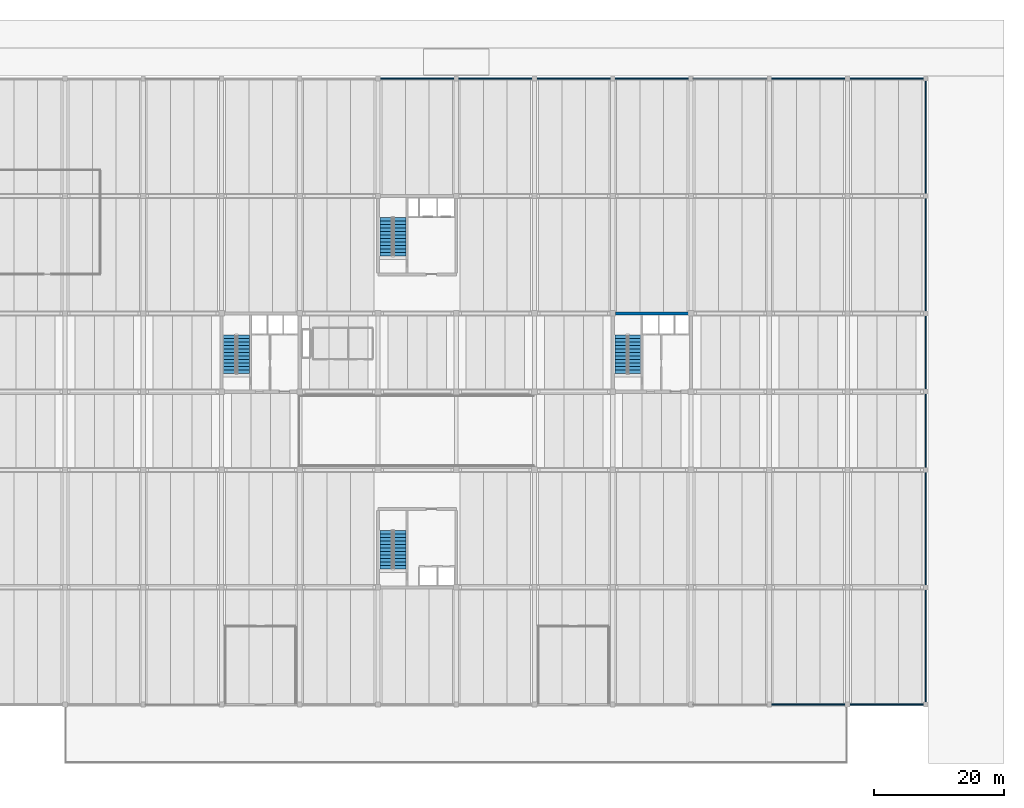
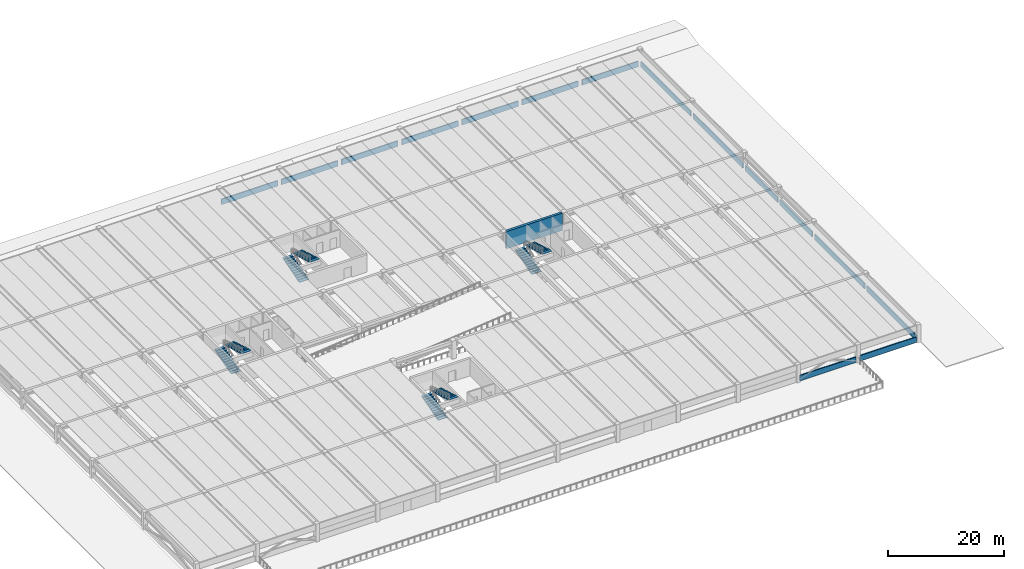
# One storey, part 10 of 16: 16 walls, 8 stair flights, 4 elements without a shape of their own.
"""IFC4 building model written with IfcOpenShell, lengths in metres."""

from ifc_helpers import new_model, si_unit, direction, frame, frame_2d, origin, place, context, subcontext, project, spatial, polyline, rectangle, outline, extrude, material, layer, layer_set, type_object, element, aggregate, save


model = new_model("IFC4")

# Units and contexts
model_context = context("Model", 3, precision=1e-05, world=origin(), true_north=direction((0.0, 1.0)))
body_context = subcontext(model_context, "Body", "Model", "MODEL_VIEW")
ifc_project = project(units=[si_unit("LENGTHUNIT", "METRE"), si_unit("AREAUNIT", "SQUARE_METRE"), si_unit("VOLUMEUNIT", "CUBIC_METRE"), si_unit("PLANEANGLEUNIT", "RADIAN"), si_unit("MASSUNIT", "GRAM", prefix="KILO")], contexts=[model_context])

# Site, building, storey
site_placement = place(None, origin())
site = spatial("IfcSite", under=ifc_project, at=site_placement, CompositionType="ELEMENT")
building_placement = place(site_placement, origin())
building = spatial("IfcBuilding", under=site, at=building_placement, Name="Girod Span Mobility Hub", CompositionType="ELEMENT")
storey_placement = place(building_placement, frame((0.0, 0.0, 21.0)))
storey = spatial("IfcBuildingStorey", under=building, at=storey_placement, Name="L05", CompositionType="ELEMENT", Elevation=21.0)

# Walls
ifc_material_1 = material(Name="Concrete C40/50", Category="concrete")
ifc_layer_1 = layer(ifc_material_1, 0.5)
ifc_layer_set_1 = layer_set([ifc_layer_1], Name="Concrete C40/50")
wall_type_1 = type_object("IfcWallType", Name="W-CW-500", PredefinedType="SHEAR", material=ifc_layer_set_1)
wall_placement = place(storey_placement, frame((108.422119140625, 69.0, 0.0), z_axis=(0.0, 0.0, 1.0), x_axis=(1.0, 0.0, 0.0)))
element("IfcWall", 1, at=wall_placement, inside=storey, type_object=wall_type_1, Name="Core C2 Shear Wall N L05", PredefinedType="SHEAR", context=body_context, shape_type="SweptSolid", body=[
    extrude(rectangle(XDim=11.15576171875, YDim=0.5, at=frame_2d((5.577880859375, 0.0))), origin(), (0.0, 0.0, 1.0), 3.637939453125),
])
ifc_material_2 = material(Name="Precast Architectural Concrete C40/50", Category="concrete")
ifc_layer_2 = layer(ifc_material_2, 0.215087890625)
ifc_layer_set_2 = layer_set([ifc_layer_2], Name="Precast Architectural Concrete C40/50")
wall_type_2 = type_object("IfcWallType", Name="W-PAR-215", PredefinedType="PARAPET", material=ifc_layer_set_2)
for number, where, z_axis, x_axis, name in (
    (2, (132.373046875, 9.0, 0.0), (0.0, 0.0, 1.0), (1.0, 0.0, 0.0), "Precast Parking Barrier Parapet S-12 L05"),
    (3, (144.373046875, 9.0, 0.0), (0.0, 0.0, 1.0), (1.0, 0.0, 0.0), "Precast Parking Barrier Parapet S-13 L05"),
    (4, (72.373046875, 105.0, 0.0), (0.0, 0.0, 1.0), (1.0, 0.0, 0.0), "Precast Parking Barrier Parapet N-7 L05"),
    (5, (84.373046875, 105.0, 0.0), (0.0, 0.0, 1.0), (1.0, 0.0, 0.0), "Precast Parking Barrier Parapet N-8 L05"),
    (6, (96.373046875, 105.0, 0.0), (0.0, 0.0, 1.0), (1.0, 0.0, 0.0), "Precast Parking Barrier Parapet N-9 L05"),
    (7, (108.373046875, 105.0, 0.0), (0.0, 0.0, 1.0), (1.0, 0.0, 0.0), "Precast Parking Barrier Parapet N-10 L05"),
    (8, (120.373046875, 105.0, 0.0), (0.0, 0.0, 1.0), (1.0, 0.0, 0.0), "Precast Parking Barrier Parapet N-11 L05"),
    (9, (132.373046875, 105.0, 0.0), (0.0, 0.0, 1.0), (1.0, 0.0, 0.0), "Precast Parking Barrier Parapet N-12 L05"),
    (10, (144.373046875, 105.0, 0.0), (0.0, 0.0, 1.0), (1.0, 0.0, 0.0), "Precast Parking Barrier Parapet N-13 L05"),
):
    element("IfcWall", number, at=place(storey_placement, frame(where, z_axis=z_axis, x_axis=x_axis)), inside=storey, type_object=wall_type_2, Name=name, PredefinedType="PARAPET", context=body_context, shape_type="SweptSolid", body=[
        extrude(rectangle(XDim=11.25390625, YDim=0.215087890625, at=frame_2d((5.626953125, 0.0))), origin(), (0.0, 0.0, 1.0), 1.14990234375),
    ])
for number, where, z_axis, x_axis, name in (
    (11, (156.0, 9.373046875, 0.0), (0.0, 0.0, 1.0), (0.0, 1.0, 0.0), "Precast Side Barrier Parapet E-B-1 L05"),
    (12, (156.0, 27.373046875, 0.0), (0.0, 0.0, 1.0), (0.0, 1.0, 0.0), "Precast Side Barrier Parapet E-C-1 L05"),
):
    element("IfcWall", number, at=place(storey_placement, frame(where, z_axis=z_axis, x_axis=x_axis)), inside=storey, type_object=wall_type_2, Name=name, PredefinedType="PARAPET", context=body_context, shape_type="SweptSolid", body=[
        extrude(rectangle(XDim=17.25390625, YDim=0.215087890625, at=frame_2d((8.626953125, 0.0))), origin(), (0.0, 0.0, 1.0), 1.14990234375),
    ])
for number, where, z_axis, x_axis, name in (
    (13, (156.0, 45.373046875, 0.0), (0.0, 0.0, 1.0), (0.0, 1.0, 0.0), "Precast Side Barrier Parapet E-D-1 L05"),
    (14, (156.0, 57.373046875, 0.0), (0.0, 0.0, 1.0), (0.0, 1.0, 0.0), "Precast Side Barrier Parapet E-E-1 L05"),
):
    element("IfcWall", number, at=place(storey_placement, frame(where, z_axis=z_axis, x_axis=x_axis)), inside=storey, type_object=wall_type_2, Name=name, PredefinedType="PARAPET", context=body_context, shape_type="SweptSolid", body=[
        extrude(rectangle(XDim=11.25390625, YDim=0.215087890625, at=frame_2d((5.626953125, 0.0))), origin(), (0.0, 0.0, 1.0), 1.14990234375),
    ])
for number, where, z_axis, x_axis, name in (
    (15, (156.0, 69.373046875, 0.0), (0.0, 0.0, 1.0), (0.0, 1.0, 0.0), "Precast Side Barrier Parapet E-F-1 L05"),
    (16, (156.0, 87.373046875, 0.0), (0.0, 0.0, 1.0), (0.0, 1.0, 0.0), "Precast Side Barrier Parapet E-G-1 L05"),
):
    element("IfcWall", number, at=place(storey_placement, frame(where, z_axis=z_axis, x_axis=x_axis)), inside=storey, type_object=wall_type_2, Name=name, PredefinedType="PARAPET", context=body_context, shape_type="SweptSolid", body=[
        extrude(rectangle(XDim=17.25390625, YDim=0.215087890625, at=frame_2d((8.626953125, 0.0))), origin(), (0.0, 0.0, 1.0), 1.14990234375),
    ])

# Stair, stair flights
ifc_material_3 = material(Name="Concrete C40/50", Category="concrete")
stair_type = type_object("IfcStairType", Name="STR-3800-W1860", PredefinedType="HALF_TURN_STAIR", material=ifc_material_3)
stair_1_placement = place(storey_placement, origin())
stair_1 = element("IfcStair", 17, at=stair_1_placement, inside=storey, type_object=stair_type, Name="Exit Stair ST-1 L05", PredefinedType="HALF_TURN_STAIR")
ifc_material_4 = material(Name="Concrete C40/50", Category="concrete")
stair_flight_type = type_object("IfcStairFlightType", Name="STF-1900-W1860", PredefinedType="STRAIGHT", material=ifc_material_4)
stair_flight_1_placement = place(storey_placement, frame((49.25, 59.81005859375, 0.0), z_axis=(0.0, 0.0, 1.0), x_axis=(0.0, 1.0, 0.0)))
stair_flight_1 = element("IfcStairFlight", 18, at=stair_flight_1_placement, type_object=stair_flight_type, Name="Stair ST-1 Flight 1 L05", NumberOfRisers=12, NumberOfTreads=11, PredefinedType="STRAIGHT", RiserHeight=0.15833, TreadLength=0.53455, context=body_context, shape_type="SweptSolid", body=[
    extrude(outline(polyline([(0.0, 0.0), (0.0, 0.158447265625), (0.53466796875, 0.158447265625), (0.53466796875, 0.316650390625), (1.069091796875, 0.316650390625), (1.069091796875, 0.47509765625), (1.603759765625, 0.47509765625), (1.603759765625, 0.63330078125), (2.13818359375, 0.63330078125), (2.13818359375, 0.791748046875), (2.6728515625, 0.791748046875), (2.6728515625, 0.949951171875), (3.207275390625, 0.949951171875), (3.207275390625, 1.1083984375), (3.741943359375, 1.1083984375), (3.741943359375, 1.2666015625), (4.2763671875, 1.2666015625), (4.2763671875, 1.425048828125), (4.81103515625, 1.425048828125), (4.81103515625, 1.583251953125), (5.345458984375, 1.583251953125), (5.345458984375, 1.74169921875), (5.880126953125, 1.74169921875), (5.880126953125, 1.89990234375), (5.880126953125, 1.54345703125), (0.668701171875, 0.0), (0.0, 0.0)])), frame((0.0, 0.93017578125, 0.0), z_axis=(0.0, -1.0, 0.0), x_axis=(1.0, 0.0, 0.0)), (0.0, 0.0, 1.0), 1.860107421875),
])
stair_flight_2_placement = place(storey_placement, frame((51.35009765625, 65.68994140625, 1.89990234375), z_axis=(0.0, 0.0, 1.0), x_axis=(0.0, -1.0, 0.0)))
stair_flight_2 = element("IfcStairFlight", 19, at=stair_flight_2_placement, type_object=stair_flight_type, Name="Stair ST-1 Flight 2 L05", NumberOfRisers=12, NumberOfTreads=11, PredefinedType="STRAIGHT", RiserHeight=0.15833, TreadLength=0.53455, context=body_context, shape_type="SweptSolid", body=[
    extrude(outline(polyline([(0.0, 0.0), (0.0, 0.158447265625), (0.53466796875, 0.158447265625), (0.53466796875, 0.316650390625), (1.069091796875, 0.316650390625), (1.069091796875, 0.47509765625), (1.603759765625, 0.47509765625), (1.603759765625, 0.63330078125), (2.13818359375, 0.63330078125), (2.13818359375, 0.791748046875), (2.6728515625, 0.791748046875), (2.6728515625, 0.949951171875), (3.207275390625, 0.949951171875), (3.207275390625, 1.1083984375), (3.741943359375, 1.1083984375), (3.741943359375, 1.2666015625), (4.2763671875, 1.2666015625), (4.2763671875, 1.425048828125), (4.81103515625, 1.425048828125), (4.81103515625, 1.583251953125), (5.345458984375, 1.583251953125), (5.345458984375, 1.74169921875), (5.880126953125, 1.74169921875), (5.880126953125, 1.89990234375), (5.880126953125, 1.54345703125), (0.668701171875, 0.0), (0.0, 0.0)])), frame((0.0, 0.93017578125, 0.0), z_axis=(0.0, -1.0, 0.0), x_axis=(1.0, 0.0, 0.0)), (0.0, 0.0, 1.0), 1.860107421875),
])
aggregate(stair_1, [stair_flight_1, stair_flight_2])

stair_2_placement = place(storey_placement, origin())
stair_2 = element("IfcStair", 20, at=stair_2_placement, inside=storey, type_object=stair_type, Name="Exit Stair ST-2 L05", PredefinedType="HALF_TURN_STAIR")
stair_flight_3_placement = place(storey_placement, frame((109.25, 59.81005859375, 0.0), z_axis=(0.0, 0.0, 1.0), x_axis=(0.0, 1.0, 0.0)))
stair_flight_3 = element("IfcStairFlight", 21, at=stair_flight_3_placement, type_object=stair_flight_type, Name="Stair ST-2 Flight 1 L05", NumberOfRisers=12, NumberOfTreads=11, PredefinedType="STRAIGHT", RiserHeight=0.15833, TreadLength=0.53455, context=body_context, shape_type="SweptSolid", body=[
    extrude(outline(polyline([(0.0, 0.0), (0.0, 0.158447265625), (0.53466796875, 0.158447265625), (0.53466796875, 0.316650390625), (1.069091796875, 0.316650390625), (1.069091796875, 0.47509765625), (1.603759765625, 0.47509765625), (1.603759765625, 0.63330078125), (2.13818359375, 0.63330078125), (2.13818359375, 0.791748046875), (2.6728515625, 0.791748046875), (2.6728515625, 0.949951171875), (3.207275390625, 0.949951171875), (3.207275390625, 1.1083984375), (3.741943359375, 1.1083984375), (3.741943359375, 1.2666015625), (4.2763671875, 1.2666015625), (4.2763671875, 1.425048828125), (4.81103515625, 1.425048828125), (4.81103515625, 1.583251953125), (5.345458984375, 1.583251953125), (5.345458984375, 1.74169921875), (5.880126953125, 1.74169921875), (5.880126953125, 1.89990234375), (5.880126953125, 1.54345703125), (0.668701171875, 0.0), (0.0, 0.0)])), frame((0.0, 0.93017578125, 0.0), z_axis=(0.0, -1.0, 0.0), x_axis=(1.0, 0.0, 0.0)), (0.0, 0.0, 1.0), 1.860107421875),
])
stair_flight_4_placement = place(storey_placement, frame((111.35009765625, 65.68994140625, 1.89990234375), z_axis=(0.0, 0.0, 1.0), x_axis=(0.0, -1.0, 0.0)))
stair_flight_4 = element("IfcStairFlight", 22, at=stair_flight_4_placement, type_object=stair_flight_type, Name="Stair ST-2 Flight 2 L05", NumberOfRisers=12, NumberOfTreads=11, PredefinedType="STRAIGHT", RiserHeight=0.15833, TreadLength=0.53455, context=body_context, shape_type="SweptSolid", body=[
    extrude(outline(polyline([(0.0, 0.0), (0.0, 0.158447265625), (0.53466796875, 0.158447265625), (0.53466796875, 0.316650390625), (1.069091796875, 0.316650390625), (1.069091796875, 0.47509765625), (1.603759765625, 0.47509765625), (1.603759765625, 0.63330078125), (2.13818359375, 0.63330078125), (2.13818359375, 0.791748046875), (2.6728515625, 0.791748046875), (2.6728515625, 0.949951171875), (3.207275390625, 0.949951171875), (3.207275390625, 1.1083984375), (3.741943359375, 1.1083984375), (3.741943359375, 1.2666015625), (4.2763671875, 1.2666015625), (4.2763671875, 1.425048828125), (4.81103515625, 1.425048828125), (4.81103515625, 1.583251953125), (5.345458984375, 1.583251953125), (5.345458984375, 1.74169921875), (5.880126953125, 1.74169921875), (5.880126953125, 1.89990234375), (5.880126953125, 1.54345703125), (0.668701171875, 0.0), (0.0, 0.0)])), frame((0.0, 0.93017578125, 0.0), z_axis=(0.0, -1.0, 0.0), x_axis=(1.0, 0.0, 0.0)), (0.0, 0.0, 1.0), 1.860107421875),
])
aggregate(stair_2, [stair_flight_3, stair_flight_4])

stair_3_placement = place(storey_placement, origin())
stair_3 = element("IfcStair", 23, at=stair_3_placement, inside=storey, type_object=stair_type, Name="Exit Stair ST-3 L05", PredefinedType="HALF_TURN_STAIR")
stair_flight_5_placement = place(storey_placement, frame((73.25, 29.81005859375, 0.0), z_axis=(0.0, 0.0, 1.0), x_axis=(0.0, 1.0, 0.0)))
stair_flight_5 = element("IfcStairFlight", 24, at=stair_flight_5_placement, type_object=stair_flight_type, Name="Stair ST-3 Flight 1 L05", NumberOfRisers=12, NumberOfTreads=11, PredefinedType="STRAIGHT", RiserHeight=0.15833, TreadLength=0.53455, context=body_context, shape_type="SweptSolid", body=[
    extrude(outline(polyline([(0.0, 0.0), (0.0, 0.158447265625), (0.53466796875, 0.158447265625), (0.53466796875, 0.316650390625), (1.069091796875, 0.316650390625), (1.069091796875, 0.47509765625), (1.603759765625, 0.47509765625), (1.603759765625, 0.63330078125), (2.13818359375, 0.63330078125), (2.13818359375, 0.791748046875), (2.6728515625, 0.791748046875), (2.6728515625, 0.949951171875), (3.207275390625, 0.949951171875), (3.207275390625, 1.1083984375), (3.741943359375, 1.1083984375), (3.741943359375, 1.2666015625), (4.2763671875, 1.2666015625), (4.2763671875, 1.425048828125), (4.81103515625, 1.425048828125), (4.81103515625, 1.583251953125), (5.345458984375, 1.583251953125), (5.345458984375, 1.74169921875), (5.880126953125, 1.74169921875), (5.880126953125, 1.89990234375), (5.880126953125, 1.54345703125), (0.668701171875, 0.0), (0.0, 0.0)])), frame((0.0, 0.93017578125, 0.0), z_axis=(0.0, -1.0, 0.0), x_axis=(1.0, 0.0, 0.0)), (0.0, 0.0, 1.0), 1.860107421875),
])
stair_flight_6_placement = place(storey_placement, frame((75.35009765625, 35.68994140625, 1.89990234375), z_axis=(0.0, 0.0, 1.0), x_axis=(0.0, -1.0, 0.0)))
stair_flight_6 = element("IfcStairFlight", 25, at=stair_flight_6_placement, type_object=stair_flight_type, Name="Stair ST-3 Flight 2 L05", NumberOfRisers=12, NumberOfTreads=11, PredefinedType="STRAIGHT", RiserHeight=0.15833, TreadLength=0.53455, context=body_context, shape_type="SweptSolid", body=[
    extrude(outline(polyline([(0.0, 0.0), (0.0, 0.158447265625), (0.53466796875, 0.158447265625), (0.53466796875, 0.316650390625), (1.069091796875, 0.316650390625), (1.069091796875, 0.47509765625), (1.603759765625, 0.47509765625), (1.603759765625, 0.63330078125), (2.13818359375, 0.63330078125), (2.13818359375, 0.791748046875), (2.6728515625, 0.791748046875), (2.6728515625, 0.949951171875), (3.207275390625, 0.949951171875), (3.207275390625, 1.1083984375), (3.741943359375, 1.1083984375), (3.741943359375, 1.2666015625), (4.2763671875, 1.2666015625), (4.2763671875, 1.425048828125), (4.81103515625, 1.425048828125), (4.81103515625, 1.583251953125), (5.345458984375, 1.583251953125), (5.345458984375, 1.74169921875), (5.880126953125, 1.74169921875), (5.880126953125, 1.89990234375), (5.880126953125, 1.54345703125), (0.668701171875, 0.0), (0.0, 0.0)])), frame((0.0, 0.93017578125, 0.0), z_axis=(0.0, -1.0, 0.0), x_axis=(1.0, 0.0, 0.0)), (0.0, 0.0, 1.0), 1.860107421875),
])
aggregate(stair_3, [stair_flight_5, stair_flight_6])

stair_4_placement = place(storey_placement, origin())
stair_4 = element("IfcStair", 26, at=stair_4_placement, inside=storey, type_object=stair_type, Name="Exit Stair ST-4 L05", PredefinedType="HALF_TURN_STAIR")
stair_flight_7_placement = place(storey_placement, frame((73.25, 77.81005859375, 0.0), z_axis=(0.0, 0.0, 1.0), x_axis=(0.0, 1.0, 0.0)))
stair_flight_7 = element("IfcStairFlight", 27, at=stair_flight_7_placement, type_object=stair_flight_type, Name="Stair ST-4 Flight 1 L05", NumberOfRisers=12, NumberOfTreads=11, PredefinedType="STRAIGHT", RiserHeight=0.15833, TreadLength=0.53455, context=body_context, shape_type="SweptSolid", body=[
    extrude(outline(polyline([(0.0, 0.0), (0.0, 0.158447265625), (0.53466796875, 0.158447265625), (0.53466796875, 0.316650390625), (1.069091796875, 0.316650390625), (1.069091796875, 0.47509765625), (1.603759765625, 0.47509765625), (1.603759765625, 0.63330078125), (2.13818359375, 0.63330078125), (2.13818359375, 0.791748046875), (2.6728515625, 0.791748046875), (2.6728515625, 0.949951171875), (3.207275390625, 0.949951171875), (3.207275390625, 1.1083984375), (3.741943359375, 1.1083984375), (3.741943359375, 1.2666015625), (4.2763671875, 1.2666015625), (4.2763671875, 1.425048828125), (4.81103515625, 1.425048828125), (4.81103515625, 1.583251953125), (5.345458984375, 1.583251953125), (5.345458984375, 1.74169921875), (5.880126953125, 1.74169921875), (5.880126953125, 1.89990234375), (5.880126953125, 1.54345703125), (0.668701171875, 0.0), (0.0, 0.0)])), frame((0.0, 0.93017578125, 0.0), z_axis=(0.0, -1.0, 0.0), x_axis=(1.0, 0.0, 0.0)), (0.0, 0.0, 1.0), 1.860107421875),
])
stair_flight_8_placement = place(storey_placement, frame((75.35009765625, 83.68994140625, 1.89990234375), z_axis=(0.0, 0.0, 1.0), x_axis=(0.0, -1.0, 0.0)))
stair_flight_8 = element("IfcStairFlight", 28, at=stair_flight_8_placement, type_object=stair_flight_type, Name="Stair ST-4 Flight 2 L05", NumberOfRisers=12, NumberOfTreads=11, PredefinedType="STRAIGHT", RiserHeight=0.15833, TreadLength=0.53455, context=body_context, shape_type="SweptSolid", body=[
    extrude(outline(polyline([(0.0, 0.0), (0.0, 0.158447265625), (0.53466796875, 0.158447265625), (0.53466796875, 0.316650390625), (1.069091796875, 0.316650390625), (1.069091796875, 0.47509765625), (1.603759765625, 0.47509765625), (1.603759765625, 0.63330078125), (2.13818359375, 0.63330078125), (2.13818359375, 0.791748046875), (2.6728515625, 0.791748046875), (2.6728515625, 0.949951171875), (3.207275390625, 0.949951171875), (3.207275390625, 1.1083984375), (3.741943359375, 1.1083984375), (3.741943359375, 1.2666015625), (4.2763671875, 1.2666015625), (4.2763671875, 1.425048828125), (4.81103515625, 1.425048828125), (4.81103515625, 1.583251953125), (5.345458984375, 1.583251953125), (5.345458984375, 1.74169921875), (5.880126953125, 1.74169921875), (5.880126953125, 1.89990234375), (5.880126953125, 1.54345703125), (0.668701171875, 0.0), (0.0, 0.0)])), frame((0.0, 0.93017578125, 0.0), z_axis=(0.0, -1.0, 0.0), x_axis=(1.0, 0.0, 0.0)), (0.0, 0.0, 1.0), 1.860107421875),
])
aggregate(stair_4, [stair_flight_7, stair_flight_8])

save(model, "model.ifc")
